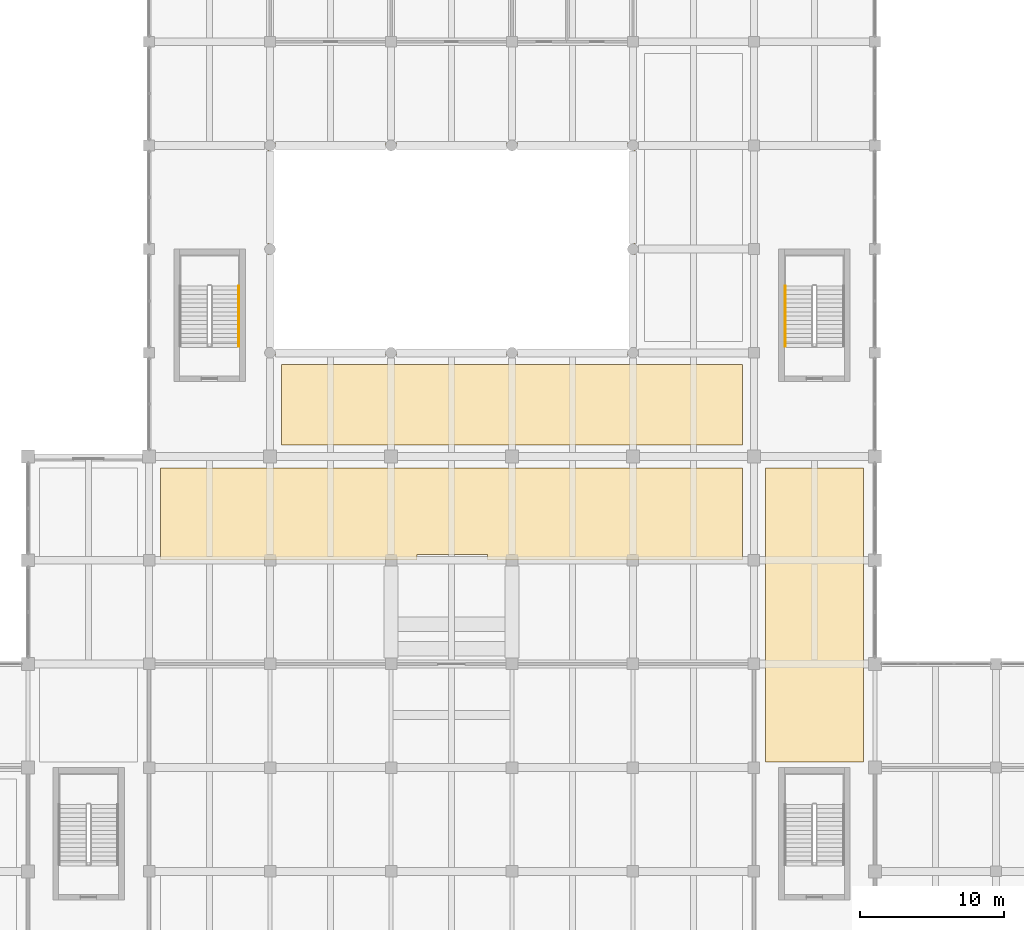
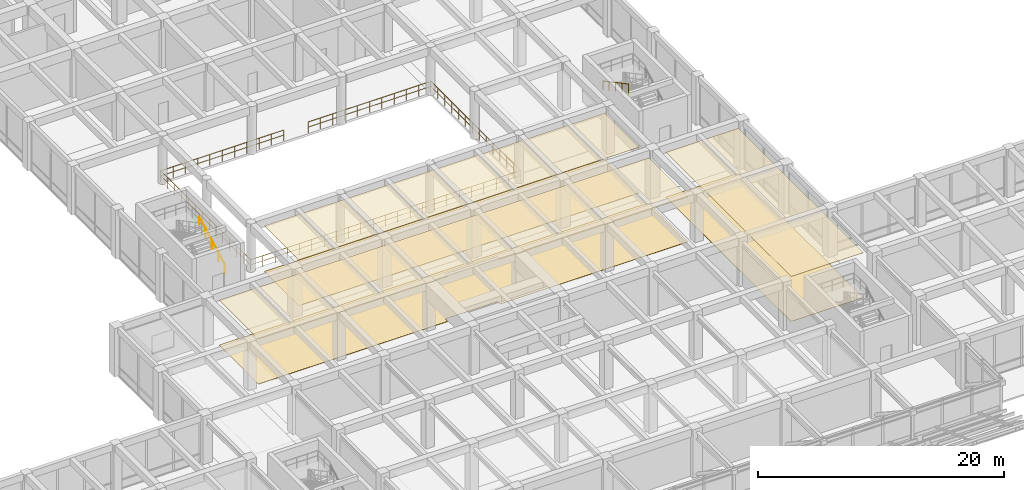
# One storey, part 47 of 52: 6 coverings, 3 railings.
"""IFC4 building model written with IfcOpenShell, lengths in metres."""

from ifc_helpers import new_model, si_unit, direction, frame, origin, origin_2d, place, context, subcontext, project, spatial, polyline, circle, outline, extrude, material, layer, layer_set, type_object, element, save


model = new_model("IFC4")

# Units and contexts
model_context = context("Model", 3, precision=1e-05, world=origin(), true_north=direction((0.0, 1.0)))
body_context = subcontext(model_context, "Body", "Model", "MODEL_VIEW")
ifc_project = project(units=[si_unit("LENGTHUNIT", "METRE"), si_unit("AREAUNIT", "SQUARE_METRE"), si_unit("VOLUMEUNIT", "CUBIC_METRE"), si_unit("PLANEANGLEUNIT", "RADIAN"), si_unit("MASSUNIT", "GRAM", prefix="KILO")], contexts=[model_context])

# Site, building, storey
site_placement = place(None, origin())
site = spatial("IfcSite", under=ifc_project, at=site_placement, CompositionType="ELEMENT")
building_placement = place(site_placement, origin())
building = spatial("IfcBuilding", under=site, at=building_placement, Name="Kenerak Square Central Library", CompositionType="ELEMENT")
storey_placement = place(building_placement, frame((0.0, 0.0, 4.800048828125)))
storey = spatial("IfcBuildingStorey", under=building, at=storey_placement, Name="L01", CompositionType="ELEMENT", Elevation=4.800048828125)

# Railing
ifc_material_1 = material(Name="Steel S355", Category="steel")
railing_type_1 = type_object("IfcRailingType", Name="Atrium Glazed Balustrade BL-1100 S355", PredefinedType="BALUSTRADE", material=ifc_material_1)
railing_1_placement = place(storey_placement, frame((86.64990234375, 74.5, 0.0)))
element("IfcRailing", 1, at=railing_1_placement, inside=storey, type_object=railing_type_1, Name="Atrium Gallery Balustrade L01", PredefinedType="BALUSTRADE", context=body_context, shape_type="SweptSolid", body=[
    extrude(circle(Radius=0.02392578125, at=origin_2d()), frame((0.0, 0.0, 1.076171875), z_axis=(-1.0, 0.0, 0.0), x_axis=(0.0, -1.0, 0.0)), (0.0, 0.0, 1.0), 11.5498046875),
    extrude(circle(Radius=0.01806640625, at=origin_2d()), frame((0.0, 0.0, 0.572021484375), z_axis=(-1.0, 0.0, 0.0), x_axis=(0.0, -1.0, 0.0)), (0.0, 0.0, 1.0), 11.5498046875),
    extrude(circle(Radius=0.02392578125, at=origin_2d()), frame((-11.5498046875, 0.0, 1.076171875), z_axis=(0.0, -1.0, 0.0), x_axis=(1.0, 0.0, 0.0)), (0.0, 0.0, 1.0), 14.60009765625),
    extrude(circle(Radius=0.01806640625, at=origin_2d()), frame((-11.5498046875, 0.0, 0.572021484375), z_axis=(0.0, -1.0, 0.0), x_axis=(1.0, 0.0, 0.0)), (0.0, 0.0, 1.0), 14.60009765625),
    extrude(circle(Radius=0.02392578125, at=origin_2d()), frame((-11.5498046875, -14.60009765625, 1.076171875), z_axis=(1.0, 0.0, 0.0), x_axis=(0.0, 1.0, 0.0)), (0.0, 0.0, 1.0), 25.39990234375),
    extrude(circle(Radius=0.01806640625, at=origin_2d()), frame((-11.5498046875, -14.60009765625, 0.572021484375), z_axis=(1.0, 0.0, 0.0), x_axis=(0.0, 1.0, 0.0)), (0.0, 0.0, 1.0), 25.39990234375),
    extrude(circle(Radius=0.02392578125, at=origin_2d()), frame((13.85009765625, -14.60009765625, 1.076171875), z_axis=(0.0, 1.0, 0.0), x_axis=(-1.0, 0.0, 0.0)), (0.0, 0.0, 1.0), 14.60009765625),
    extrude(circle(Radius=0.01806640625, at=origin_2d()), frame((13.85009765625, -14.60009765625, 0.572021484375), z_axis=(0.0, 1.0, 0.0), x_axis=(-1.0, 0.0, 0.0)), (0.0, 0.0, 1.0), 14.60009765625),
    extrude(circle(Radius=0.02392578125, at=origin_2d()), frame((13.85009765625, 0.0, 1.076171875), z_axis=(-1.0, 0.0, 0.0), x_axis=(0.0, -1.0, 0.0)), (0.0, 0.0, 1.0), 11.550048828125),
    extrude(circle(Radius=0.01806640625, at=origin_2d()), frame((13.85009765625, 0.0, 0.572021484375), z_axis=(-1.0, 0.0, 0.0), x_axis=(0.0, -1.0, 0.0)), (0.0, 0.0, 1.0), 11.550048828125),
    extrude(circle(Radius=0.02099609375, at=origin_2d()), origin(), (0.0, 0.0, 1.0), 1.052001953125),
    extrude(circle(Radius=0.02099609375, at=origin_2d()), frame((-1.155029296875, 0.0, 0.0)), (0.0, 0.0, 1.0), 1.052001953125),
    extrude(circle(Radius=0.02099609375, at=origin_2d()), frame((-2.31005859375, 0.0, 0.0)), (0.0, 0.0, 1.0), 1.052001953125),
    extrude(circle(Radius=0.02099609375, at=origin_2d()), frame((-3.46484375, 0.0, 0.0)), (0.0, 0.0, 1.0), 1.052001953125),
    extrude(circle(Radius=0.02099609375, at=origin_2d()), frame((-4.619873046875, 0.0, 0.0)), (0.0, 0.0, 1.0), 1.052001953125),
    extrude(circle(Radius=0.02099609375, at=origin_2d()), frame((-5.77490234375, 0.0, 0.0)), (0.0, 0.0, 1.0), 1.052001953125),
    extrude(circle(Radius=0.02099609375, at=origin_2d()), frame((-6.929931640625, 0.0, 0.0)), (0.0, 0.0, 1.0), 1.052001953125),
    extrude(circle(Radius=0.02099609375, at=origin_2d()), frame((-8.0849609375, 0.0, 0.0)), (0.0, 0.0, 1.0), 1.052001953125),
    extrude(circle(Radius=0.02099609375, at=origin_2d()), frame((-9.23974609375, 0.0, 0.0)), (0.0, 0.0, 1.0), 1.052001953125),
    extrude(circle(Radius=0.02099609375, at=origin_2d()), frame((-10.394775390625, 0.0, 0.0)), (0.0, 0.0, 1.0), 1.052001953125),
    extrude(circle(Radius=0.02099609375, at=origin_2d()), frame((-11.5498046875, 0.0, 0.0)), (0.0, 0.0, 1.0), 1.052001953125),
    extrude(circle(Radius=0.02099609375, at=origin_2d()), frame((-11.5498046875, -1.123046875, 0.0)), (0.0, 0.0, 1.0), 1.052001953125),
    extrude(circle(Radius=0.02099609375, at=origin_2d()), frame((-11.5498046875, -2.24609375, 0.0)), (0.0, 0.0, 1.0), 1.052001953125),
    extrude(circle(Radius=0.02099609375, at=origin_2d()), frame((-11.5498046875, -3.369140625, 0.0)), (0.0, 0.0, 1.0), 1.052001953125),
    extrude(circle(Radius=0.02099609375, at=origin_2d()), frame((-11.5498046875, -4.492431640625, 0.0)), (0.0, 0.0, 1.0), 1.052001953125),
    extrude(circle(Radius=0.02099609375, at=origin_2d()), frame((-11.5498046875, -5.615478515625, 0.0)), (0.0, 0.0, 1.0), 1.052001953125),
    extrude(circle(Radius=0.02099609375, at=origin_2d()), frame((-11.5498046875, -6.738525390625, 0.0)), (0.0, 0.0, 1.0), 1.052001953125),
    extrude(circle(Radius=0.02099609375, at=origin_2d()), frame((-11.5498046875, -7.861572265625, 0.0)), (0.0, 0.0, 1.0), 1.052001953125),
    extrude(circle(Radius=0.02099609375, at=origin_2d()), frame((-11.5498046875, -8.984619140625, 0.0)), (0.0, 0.0, 1.0), 1.052001953125),
    extrude(circle(Radius=0.02099609375, at=origin_2d()), frame((-11.5498046875, -10.107666015625, 0.0)), (0.0, 0.0, 1.0), 1.052001953125),
    extrude(circle(Radius=0.02099609375, at=origin_2d()), frame((-11.5498046875, -11.23095703125, 0.0)), (0.0, 0.0, 1.0), 1.052001953125),
    extrude(circle(Radius=0.02099609375, at=origin_2d()), frame((-11.5498046875, -12.35400390625, 0.0)), (0.0, 0.0, 1.0), 1.052001953125),
    extrude(circle(Radius=0.02099609375, at=origin_2d()), frame((-11.5498046875, -13.47705078125, 0.0)), (0.0, 0.0, 1.0), 1.052001953125),
    extrude(circle(Radius=0.02099609375, at=origin_2d()), frame((-11.5498046875, -14.60009765625, 0.0)), (0.0, 0.0, 1.0), 1.052001953125),
    extrude(circle(Radius=0.02099609375, at=origin_2d()), frame((-10.395263671875, -14.60009765625, 0.0)), (0.0, 0.0, 1.0), 1.052001953125),
    extrude(circle(Radius=0.02099609375, at=origin_2d()), frame((-9.24072265625, -14.60009765625, 0.0)), (0.0, 0.0, 1.0), 1.052001953125),
    extrude(circle(Radius=0.02099609375, at=origin_2d()), frame((-8.086181640625, -14.60009765625, 0.0)), (0.0, 0.0, 1.0), 1.052001953125),
    extrude(circle(Radius=0.02099609375, at=origin_2d()), frame((-6.931640625, -14.60009765625, 0.0)), (0.0, 0.0, 1.0), 1.052001953125),
    extrude(circle(Radius=0.02099609375, at=origin_2d()), frame((-5.777099609375, -14.60009765625, 0.0)), (0.0, 0.0, 1.0), 1.052001953125),
    extrude(circle(Radius=0.02099609375, at=origin_2d()), frame((-4.62255859375, -14.60009765625, 0.0)), (0.0, 0.0, 1.0), 1.052001953125),
    extrude(circle(Radius=0.02099609375, at=origin_2d()), frame((-3.468017578125, -14.60009765625, 0.0)), (0.0, 0.0, 1.0), 1.052001953125),
    extrude(circle(Radius=0.02099609375, at=origin_2d()), frame((-2.3134765625, -14.60009765625, 0.0)), (0.0, 0.0, 1.0), 1.052001953125),
    extrude(circle(Radius=0.02099609375, at=origin_2d()), frame((-1.158935546875, -14.60009765625, 0.0)), (0.0, 0.0, 1.0), 1.052001953125),
    extrude(circle(Radius=0.02099609375, at=origin_2d()), frame((-0.00439453125, -14.60009765625, 0.0)), (0.0, 0.0, 1.0), 1.052001953125),
    extrude(circle(Radius=0.02099609375, at=origin_2d()), frame((1.150146484375, -14.60009765625, 0.0)), (0.0, 0.0, 1.0), 1.052001953125),
    extrude(circle(Radius=0.02099609375, at=origin_2d()), frame((2.3046875, -14.60009765625, 0.0)), (0.0, 0.0, 1.0), 1.052001953125),
    extrude(circle(Radius=0.02099609375, at=origin_2d()), frame((3.459228515625, -14.60009765625, 0.0)), (0.0, 0.0, 1.0), 1.052001953125),
    extrude(circle(Radius=0.02099609375, at=origin_2d()), frame((4.61376953125, -14.60009765625, 0.0)), (0.0, 0.0, 1.0), 1.052001953125),
    extrude(circle(Radius=0.02099609375, at=origin_2d()), frame((5.768310546875, -14.60009765625, 0.0)), (0.0, 0.0, 1.0), 1.052001953125),
    extrude(circle(Radius=0.02099609375, at=origin_2d()), frame((6.9228515625, -14.60009765625, 0.0)), (0.0, 0.0, 1.0), 1.052001953125),
    extrude(circle(Radius=0.02099609375, at=origin_2d()), frame((8.077392578125, -14.60009765625, 0.0)), (0.0, 0.0, 1.0), 1.052001953125),
    extrude(circle(Radius=0.02099609375, at=origin_2d()), frame((9.23193359375, -14.60009765625, 0.0)), (0.0, 0.0, 1.0), 1.052001953125),
    extrude(circle(Radius=0.02099609375, at=origin_2d()), frame((10.386474609375, -14.60009765625, 0.0)), (0.0, 0.0, 1.0), 1.052001953125),
    extrude(circle(Radius=0.02099609375, at=origin_2d()), frame((11.541015625, -14.60009765625, 0.0)), (0.0, 0.0, 1.0), 1.052001953125),
    extrude(circle(Radius=0.02099609375, at=origin_2d()), frame((12.695556640625, -14.60009765625, 0.0)), (0.0, 0.0, 1.0), 1.052001953125),
    extrude(circle(Radius=0.02099609375, at=origin_2d()), frame((13.85009765625, -14.60009765625, 0.0)), (0.0, 0.0, 1.0), 1.052001953125),
    extrude(circle(Radius=0.02099609375, at=origin_2d()), frame((13.85009765625, -13.47705078125, 0.0)), (0.0, 0.0, 1.0), 1.052001953125),
    extrude(circle(Radius=0.02099609375, at=origin_2d()), frame((13.85009765625, -12.35400390625, 0.0)), (0.0, 0.0, 1.0), 1.052001953125),
    extrude(circle(Radius=0.02099609375, at=origin_2d()), frame((13.85009765625, -11.23095703125, 0.0)), (0.0, 0.0, 1.0), 1.052001953125),
    extrude(circle(Radius=0.02099609375, at=origin_2d()), frame((13.85009765625, -10.107666015625, 0.0)), (0.0, 0.0, 1.0), 1.052001953125),
    extrude(circle(Radius=0.02099609375, at=origin_2d()), frame((13.85009765625, -8.984619140625, 0.0)), (0.0, 0.0, 1.0), 1.052001953125),
    extrude(circle(Radius=0.02099609375, at=origin_2d()), frame((13.85009765625, -7.861572265625, 0.0)), (0.0, 0.0, 1.0), 1.052001953125),
    extrude(circle(Radius=0.02099609375, at=origin_2d()), frame((13.85009765625, -6.738525390625, 0.0)), (0.0, 0.0, 1.0), 1.052001953125),
    extrude(circle(Radius=0.02099609375, at=origin_2d()), frame((13.85009765625, -5.615478515625, 0.0)), (0.0, 0.0, 1.0), 1.052001953125),
    extrude(circle(Radius=0.02099609375, at=origin_2d()), frame((13.85009765625, -4.492431640625, 0.0)), (0.0, 0.0, 1.0), 1.052001953125),
    extrude(circle(Radius=0.02099609375, at=origin_2d()), frame((13.85009765625, -3.369140625, 0.0)), (0.0, 0.0, 1.0), 1.052001953125),
    extrude(circle(Radius=0.02099609375, at=origin_2d()), frame((13.85009765625, -2.24609375, 0.0)), (0.0, 0.0, 1.0), 1.052001953125),
    extrude(circle(Radius=0.02099609375, at=origin_2d()), frame((13.85009765625, -1.123046875, 0.0)), (0.0, 0.0, 1.0), 1.052001953125),
    extrude(circle(Radius=0.02099609375, at=origin_2d()), frame((13.85009765625, 0.0, 0.0)), (0.0, 0.0, 1.0), 1.052001953125),
    extrude(circle(Radius=0.02099609375, at=origin_2d()), frame((12.695068359375, 0.0, 0.0)), (0.0, 0.0, 1.0), 1.052001953125),
    extrude(circle(Radius=0.02099609375, at=origin_2d()), frame((11.5400390625, 0.0, 0.0)), (0.0, 0.0, 1.0), 1.052001953125),
    extrude(circle(Radius=0.02099609375, at=origin_2d()), frame((10.385009765625, 0.0, 0.0)), (0.0, 0.0, 1.0), 1.052001953125),
    extrude(circle(Radius=0.02099609375, at=origin_2d()), frame((9.22998046875, 0.0, 0.0)), (0.0, 0.0, 1.0), 1.052001953125),
    extrude(circle(Radius=0.02099609375, at=origin_2d()), frame((8.0751953125, 0.0, 0.0)), (0.0, 0.0, 1.0), 1.052001953125),
    extrude(circle(Radius=0.02099609375, at=origin_2d()), frame((6.920166015625, 0.0, 0.0)), (0.0, 0.0, 1.0), 1.052001953125),
    extrude(circle(Radius=0.02099609375, at=origin_2d()), frame((5.76513671875, 0.0, 0.0)), (0.0, 0.0, 1.0), 1.052001953125),
    extrude(circle(Radius=0.02099609375, at=origin_2d()), frame((4.610107421875, 0.0, 0.0)), (0.0, 0.0, 1.0), 1.052001953125),
    extrude(circle(Radius=0.02099609375, at=origin_2d()), frame((3.455078125, 0.0, 0.0)), (0.0, 0.0, 1.0), 1.052001953125),
    extrude(circle(Radius=0.02099609375, at=origin_2d()), frame((2.300048828125, 0.0, 0.0)), (0.0, 0.0, 1.0), 1.052001953125),
])

# Coverings
ifc_material_2 = material(Name="Chengal hardwood timber SG1", Category="wood")
ifc_layer_1 = layer(ifc_material_2, 0.044921875)
ifc_layer_set_1 = layer_set([ifc_layer_1], Name="Chengal hardwood timber SG1")
covering_type_1 = type_object("IfcCoveringType", Name="Perforated Chengal Acoustic Ceiling CV-CEIL", PredefinedType="CEILING", material=ifc_layer_set_1)
covering_1_placement = place(storey_placement, frame((0.0, 0.0, 4.454833984375)))
element("IfcCovering", 2, at=covering_1_placement, inside=storey, type_object=covering_type_1, Name="Acoustic Ceiling L01-02", PredefinedType="CEILING", context=body_context, shape_type="SweptSolid", body=[
    extrude(outline(polyline([(90.300048828125, 46.0), (85.39990234375, 46.0), (85.39990234375, 45.60009765625), (67.60009765625, 45.60009765625), (67.60009765625, 52.0), (108.0, 52.0), (108.0, 45.60009765625), (90.300048828125, 45.60009765625), (90.300048828125, 46.0)])), origin(), (0.0, 0.0, 1.0), 0.045166015625),
])
covering_2_placement = place(storey_placement, frame((0.0, 0.0, 4.530029296875)))
element("IfcCovering", 3, at=covering_2_placement, inside=storey, type_object=covering_type_1, Name="Acoustic Ceiling L01-09", PredefinedType="CEILING", context=body_context, shape_type="SweptSolid", body=[
    extrude(outline(polyline([(76.0, 59.199951171875), (108.0, 59.199951171875), (108.0, 53.60009765625), (76.0, 53.60009765625), (76.0, 59.199951171875)])), origin(), (0.0, 0.0, 1.0), 0.044921875),
])
covering_3_placement = place(storey_placement, frame((0.0, 0.0, 4.454833984375)))
element("IfcCovering", 4, at=covering_3_placement, inside=storey, type_object=covering_type_1, Name="Acoustic Ceiling L01-22", PredefinedType="CEILING", context=body_context, shape_type="SweptSolid", body=[
    extrude(outline(polyline([(116.39990234375, 52.0), (116.39990234375, 31.60009765625), (109.60009765625, 31.60009765625), (109.60009765625, 52.0), (116.39990234375, 52.0)])), origin(), (0.0, 0.0, 1.0), 0.045166015625),
])
ifc_material_3 = material(Name="Polished granite aggregate terrazzo", Category="masonry")
ifc_layer_2 = layer(ifc_material_3, 0.02490234375)
ifc_layer_set_2 = layer_set([ifc_layer_2], Name="Polished granite aggregate terrazzo")
covering_type_2 = type_object("IfcCoveringType", Name="Polished Terrazzo Reading Floor Finish CV-FLR", PredefinedType="FLOORING", material=ifc_layer_set_2)
covering_4_placement = place(storey_placement, origin())
element("IfcCovering", 5, at=covering_4_placement, inside=storey, type_object=covering_type_2, Name="Terrazzo Floor Finish L01-02", PredefinedType="FLOORING", context=body_context, shape_type="SweptSolid", body=[
    extrude(outline(polyline([(90.300048828125, 46.0), (85.39990234375, 46.0), (85.39990234375, 45.60009765625), (67.60009765625, 45.60009765625), (67.60009765625, 52.0), (108.0, 52.0), (108.0, 45.60009765625), (90.300048828125, 45.60009765625), (90.300048828125, 46.0)])), origin(), (0.0, 0.0, 1.0), 0.02490234375),
])
covering_5_placement = place(storey_placement, origin())
element("IfcCovering", 6, at=covering_5_placement, inside=storey, type_object=covering_type_2, Name="Terrazzo Floor Finish L01-09", PredefinedType="FLOORING", context=body_context, shape_type="SweptSolid", body=[
    extrude(outline(polyline([(76.0, 59.199951171875), (108.0, 59.199951171875), (108.0, 53.60009765625), (76.0, 53.60009765625), (76.0, 59.199951171875)])), origin(), (0.0, 0.0, 1.0), 0.02490234375),
])
covering_6_placement = place(storey_placement, origin())
element("IfcCovering", 7, at=covering_6_placement, inside=storey, type_object=covering_type_2, Name="Terrazzo Floor Finish L01-22", PredefinedType="FLOORING", context=body_context, shape_type="SweptSolid", body=[
    extrude(outline(polyline([(116.39990234375, 52.0), (116.39990234375, 31.60009765625), (109.60009765625, 31.60009765625), (109.60009765625, 52.0), (116.39990234375, 52.0)])), origin(), (0.0, 0.0, 1.0), 0.02490234375),
])

# Railings
railing_type_2 = type_object("IfcRailingType", Name="Stair Handrail HR-880 S355", PredefinedType="HANDRAIL", material=ifc_material_1)
railing_2_placement = place(storey_placement, frame((73.030029296875, 60.449951171875, 0.159912109375)))
element("IfcRailing", 8, at=railing_2_placement, inside=storey, type_object=railing_type_2, Name="L01 ST-08 stair handrail 1", PredefinedType="HANDRAIL", context=body_context, shape_type="SweptSolid", body=[
    extrude(circle(Radius=0.02392578125, at=origin_2d()), frame((0.0, 0.0, 0.85595703125), z_axis=(0.0, 0.882351521365, 0.470590897432), x_axis=(-1.0, 0.0, 0.0)), (0.0, 0.0, 1.0), 4.760009765625),
    extrude(circle(Radius=0.02099609375, at=origin_2d()), origin(), (0.0, 0.0, 1.0), 0.831787109375),
    extrude(circle(Radius=0.02099609375, at=origin_2d()), frame((0.0, 1.050048828125, 0.56005859375)), (0.0, 0.0, 1.0), 0.831787109375),
    extrude(circle(Radius=0.02099609375, at=origin_2d()), frame((0.0, 2.10009765625, 1.1201171875)), (0.0, 0.0, 1.0), 0.831787109375),
    extrude(circle(Radius=0.02099609375, at=origin_2d()), frame((0.0, 3.14990234375, 1.679931640625)), (0.0, 0.0, 1.0), 0.831787109375),
    extrude(circle(Radius=0.02099609375, at=origin_2d()), frame((0.0, 4.199951171875, 2.239990234375)), (0.0, 0.0, 1.0), 0.831787109375),
])
railing_3_placement = place(storey_placement, frame((110.969970703125, 64.64990234375, 2.56005859375)))
element("IfcRailing", 9, at=railing_3_placement, inside=storey, type_object=railing_type_2, Name="L01 ST-09 stair handrail 2", PredefinedType="HANDRAIL", context=body_context, shape_type="SweptSolid", body=[
    extrude(circle(Radius=0.02392578125, at=origin_2d()), frame((0.0, 0.0, 0.85595703125), z_axis=(0.0, -0.882351521365, 0.470590897432), x_axis=(1.0, 0.0, 0.0)), (0.0, 0.0, 1.0), 4.760009765625),
    extrude(circle(Radius=0.02099609375, at=origin_2d()), origin(), (0.0, 0.0, 1.0), 0.831787109375),
    extrude(circle(Radius=0.02099609375, at=origin_2d()), frame((0.0, -1.050048828125, 0.56005859375)), (0.0, 0.0, 1.0), 0.831787109375),
    extrude(circle(Radius=0.02099609375, at=origin_2d()), frame((0.0, -2.10009765625, 1.1201171875)), (0.0, 0.0, 1.0), 0.831787109375),
    extrude(circle(Radius=0.02099609375, at=origin_2d()), frame((0.0, -3.14990234375, 1.679931640625)), (0.0, 0.0, 1.0), 0.831787109375),
    extrude(circle(Radius=0.02099609375, at=origin_2d()), frame((0.0, -4.199951171875, 2.239990234375)), (0.0, 0.0, 1.0), 0.831787109375),
])

save(model, "model.ifc")
